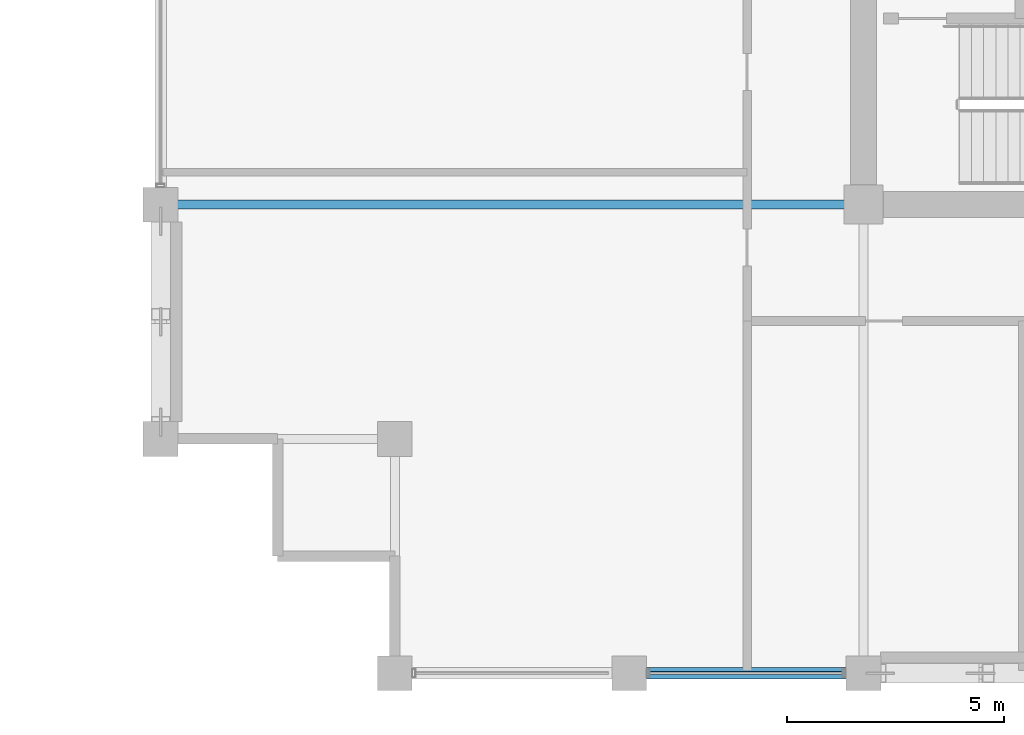
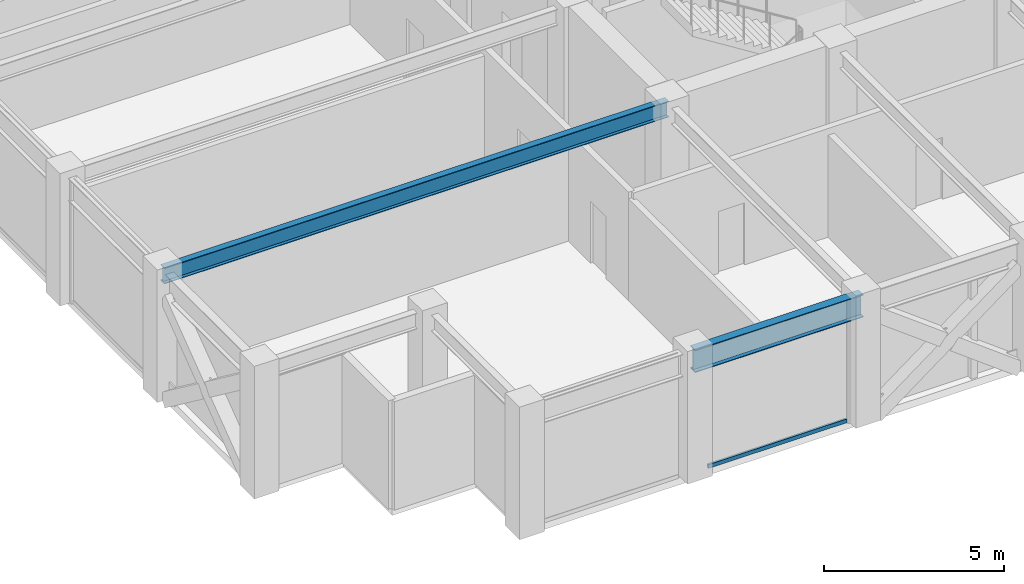
# One storey, part 4 of 28: 2 beams, 1 member, 1 element without a shape of its own.
"""IFC4 building model written with IfcOpenShell, lengths in metres."""

from ifc_helpers import new_model, si_unit, direction, frame, origin, origin_2d, place, context, subcontext, project, spatial, hollow_rectangle, i_section, extrude, material, layer, layer_set, material_profile, profile_set, type_object, element, aggregate, save


model = new_model("IFC4")

# Units and contexts
model_context = context("Model", 3, precision=1e-05, world=origin(), true_north=direction((0.0, 1.0)))
body_context = subcontext(model_context, "Body", "Model", "MODEL_VIEW")
ifc_project = project(units=[si_unit("LENGTHUNIT", "METRE"), si_unit("AREAUNIT", "SQUARE_METRE"), si_unit("VOLUMEUNIT", "CUBIC_METRE"), si_unit("PLANEANGLEUNIT", "RADIAN"), si_unit("MASSUNIT", "GRAM", prefix="KILO")], contexts=[model_context])

# Site, building, storey
site_placement = place(None, origin())
site = spatial("IfcSite", under=ifc_project, at=site_placement, CompositionType="ELEMENT")
building_placement = place(site_placement, origin())
building = spatial("IfcBuilding", under=site, at=building_placement, Name="Surkhivell Harbour Commons", CompositionType="ELEMENT")
storey_placement = place(building_placement, frame((0.0, 0.0, 249.75)))
storey = spatial("IfcBuildingStorey", under=building, at=storey_placement, Name="L65", CompositionType="ELEMENT", Elevation=249.75)

# Beams
ifc_material_1 = material(Name="Steel S355", Category="steel")
ifc_material_profile_1 = material_profile(ifc_material_1, i_section(OverallWidth=0.2119140625, OverallDepth=0.5439453125, WebThickness=0.0126953125, FlangeThickness=0.021240234375, at=origin_2d()), Name="UB533x210x122")
ifc_profile_set_1 = profile_set([ifc_material_profile_1], Name="Steel S355")
beam_type_1 = type_object("IfcBeamType", Name="BM-GRD-533A", PredefinedType="BEAM", material=ifc_profile_set_1)
beam_1_placement = place(storey_placement, frame((-27.0, -10.800048828125, 3.97802734375), z_axis=(1.0, 0.0, 0.0), x_axis=(0.0, 1.0, 0.0)))
element("IfcBeam", 1, at=beam_1_placement, inside=storey, type_object=beam_type_1, Name="L65 Floor Girder (-27.0,-10.8)", PredefinedType="BEAM", context=body_context, shape_type="SweptSolid", body=[
    extrude(i_section(OverallWidth=0.2119140625, OverallDepth=0.5439453125, WebThickness=0.0126953125, FlangeThickness=0.021240234375, at=origin_2d()), origin(), (0.0, 0.0, 1.0), 16.199951171875),
])
ifc_material_profile_2 = material_profile(ifc_material_1, i_section(OverallWidth=0.26806640625, OverallDepth=0.77001953125, WebThickness=0.015625, FlangeThickness=0.025390625, at=origin_2d()), Name="UB762x267x197")
ifc_profile_set_2 = profile_set([ifc_material_profile_2], Name="Steel S355")
beam_type_2 = type_object("IfcBeamType", Name="BM-SPN-762", PredefinedType="SPANDREL", material=ifc_profile_set_2)
beam_2_placement = place(storey_placement, frame((-16.199951171875, -21.60009765625, 3.864990234375), z_axis=(1.0, 0.0, 0.0), x_axis=(0.0, 1.0, 0.0)))
element("IfcBeam", 2, at=beam_2_placement, inside=storey, type_object=beam_type_2, Name="L65 Tube Spandrel (-16.2,-21.6)", PredefinedType="SPANDREL", context=body_context, shape_type="SweptSolid", body=[
    extrude(i_section(OverallWidth=0.26806640625, OverallDepth=0.77001953125, WebThickness=0.015625, FlangeThickness=0.025390625, at=origin_2d()), origin(), (0.0, 0.0, 1.0), 5.39990234375),
])

# Curtain wall, member
ifc_material_2 = material(Name="Anodised pale-metal aluminium and insulated glazing", Category="aluminium")
ifc_layer = layer(ifc_material_2, 0.18994140625)
ifc_layer_set = layer_set([ifc_layer], Name="Anodised pale-metal aluminium and insulated glazing")
curtain_wall_type = type_object("IfcCurtainWallType", Name="CW-SYS-Z3", PredefinedType="NOTDEFINED", material=ifc_layer_set)
curtain_wall_placement = place(storey_placement, origin())
curtain_wall = element("IfcCurtainWall", 3, at=curtain_wall_placement, inside=storey, type_object=curtain_wall_type, Name="L65 Curtain Wall CW-L65-E00S1", PredefinedType="NOTDEFINED")
ifc_material_3 = material(Name="Champagne anodised aluminium alloy 6063-T6", Category="aluminium")
ifc_material_profile_3 = material_profile(ifc_material_3, hollow_rectangle(XDim=0.070068359375, YDim=0.1298828125, WallThickness=0.00341796875, at=origin_2d()), Name="ALU-TRAN-70x130")
ifc_profile_set_3 = profile_set([ifc_material_profile_3], Name="Champagne anodised aluminium alloy 6063-T6")
member_type = type_object("IfcMemberType", Name="CWT-130", PredefinedType="USERDEFINED", material=ifc_profile_set_3)
member_placement = place(storey_placement, frame((-15.722900390625, -21.60009765625, 0.06494140625), z_axis=(1.0, 0.0, 0.0), x_axis=(0.0, 1.0, 0.0)))
member = element("IfcMember", 4, at=member_placement, type_object=member_type, Name="CW-Z3 transom 2.1", ObjectType="TRANSOM", PredefinedType="USERDEFINED", context=body_context, shape_type="SweptSolid", body=[
    extrude(hollow_rectangle(XDim=0.070068359375, YDim=0.1298828125, WallThickness=0.00341796875, at=origin_2d()), origin(), (0.0, 0.0, 1.0), 4.44580078125),
])
aggregate(curtain_wall, [member])

save(model, "model.ifc")
